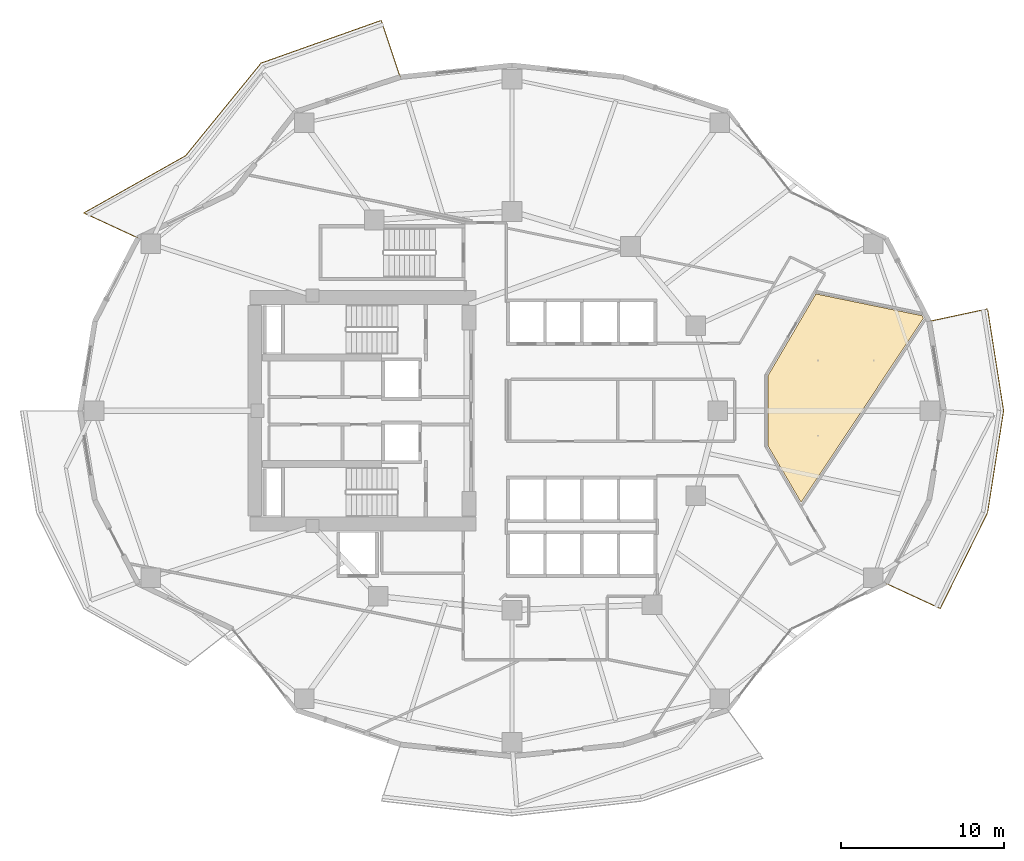
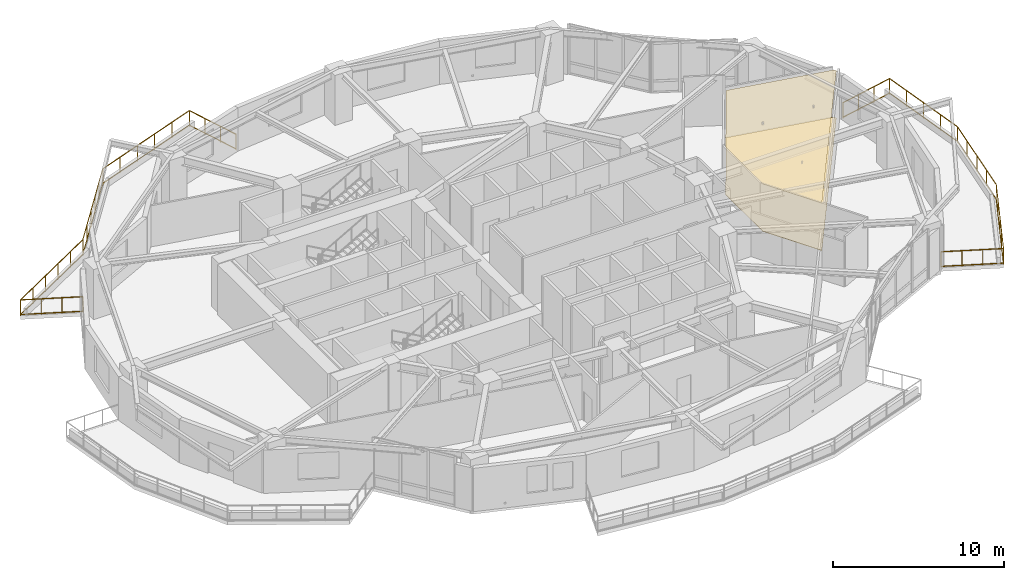
# One storey, part 17 of 18: 2 coverings, 2 railings.
"""IFC4 building model written with IfcOpenShell, lengths in metres."""

from ifc_helpers import new_model, si_unit, direction, frame, origin, origin_2d, place, context, subcontext, project, spatial, polyline, rectangle, outline, extrude, material, layer, layer_set, type_object, element, save


model = new_model("IFC4")

# Units and contexts
model_context = context("Model", 3, precision=1e-05, world=origin(), true_north=direction((0.0, 1.0)))
body_context = subcontext(model_context, "Body", "Model", "MODEL_VIEW")
ifc_project = project(units=[si_unit("LENGTHUNIT", "METRE"), si_unit("AREAUNIT", "SQUARE_METRE"), si_unit("VOLUMEUNIT", "CUBIC_METRE"), si_unit("PLANEANGLEUNIT", "RADIAN"), si_unit("MASSUNIT", "GRAM", prefix="KILO")], contexts=[model_context])

# Site, building, storey
site_placement = place(None, origin())
site = spatial("IfcSite", under=ifc_project, at=site_placement, CompositionType="ELEMENT")
building_placement = place(site_placement, origin())
building = spatial("IfcBuilding", under=site, at=building_placement, Name="Kolvaren Gate Tower and Convention Centre", CompositionType="ELEMENT")
storey_placement = place(building_placement, frame((0.0, 0.0, 61.14990234375)))
storey = spatial("IfcBuildingStorey", under=building, at=storey_placement, Name="L14", CompositionType="ELEMENT", Elevation=61.14990234375)

# Coverings
ifc_material_1 = material(Name="Perforated Mineral-Fibre Acoustic Ceiling Tile 18 mm", Category="gypsum")
ifc_layer_1 = layer(ifc_material_1, 0.01806640625)
ifc_layer_set_1 = layer_set([ifc_layer_1], Name="Perforated Mineral-Fibre Acoustic Ceiling Tile 18 mm")
covering_type_1 = type_object("IfcCoveringType", Name="ARCH-COV-CEIL-18", PredefinedType="CEILING", material=ifc_layer_set_1)
covering_1_placement = place(storey_placement, frame((0.0, 0.0, 3.39013671875)))
element("IfcCovering", 1, at=covering_1_placement, inside=storey, type_object=covering_type_1, Name="Materials Exhibition Boutique Acoustic Suspended Ceiling", PredefinedType="CEILING", context=body_context, shape_type="SweptSolid", body=[
    extrude(outline(polyline([(55.236083984375, 32.81689453125), (55.31298828125, 32.6689453125), (47.824951171875, 21.39111328125), (45.81005859375, 24.8310546875), (45.81005859375, 29.1689453125), (48.73095703125, 34.154052734375), (55.236083984375, 32.81689453125)])), origin(), (0.0, 0.0, 1.0), 0.01806640625),
])
ifc_material_2 = material(Name="Honed Sabana Limestone Terrazzo Flooring 30 mm", Category="masonry")
ifc_layer_2 = layer(ifc_material_2, 0.030029296875)
ifc_layer_set_2 = layer_set([ifc_layer_2], Name="Honed Sabana Limestone Terrazzo Flooring 30 mm")
covering_type_2 = type_object("IfcCoveringType", Name="ARCH-COV-FLR-30", PredefinedType="FLOORING", material=ifc_layer_set_2)
covering_2_placement = place(storey_placement, origin())
element("IfcCovering", 2, at=covering_2_placement, inside=storey, type_object=covering_type_2, Name="Materials Exhibition Boutique Interior Finish Flooring", PredefinedType="FLOORING", context=body_context, shape_type="SweptSolid", body=[
    extrude(outline(polyline([(55.236083984375, 32.81689453125), (55.31298828125, 32.6689453125), (47.824951171875, 21.39111328125), (45.81005859375, 24.8310546875), (45.81005859375, 29.1689453125), (48.73095703125, 34.154052734375), (55.236083984375, 32.81689453125)])), origin(), (0.0, 0.0, 1.0), 0.030029296875),
])

# Railings
ifc_material_3 = material(Name="Brushed Stainless Steel Grade 316L", Category="steel")
railing_type = type_object("IfcRailingType", Name="ARCH-RL-GUARD-1150", PredefinedType="GUARDRAIL", material=ifc_material_3)
railing_1_placement = place(storey_placement, frame((23.282470703125, 47.42919921875, 0.0)))
element("IfcRailing", 3, at=railing_1_placement, inside=storey, type_object=railing_type, Name="Tower L14 Terrace Perimeter Guardrail GR-1", PredefinedType="GUARDRAIL", context=body_context, shape_type="SweptSolid", body=[
    extrude(rectangle(XDim=0.048095703125, YDim=0.048095703125, at=origin_2d()), frame((-0.0087890625, 0.026611328125, 1.1259765625), z_axis=(-0.317568160167, 0.94823544737, 0.0), x_axis=(-0.94823544737, -0.317568160167, 0.0)), (0.0, 0.0, 1.0), 3.60400390625),
    extrude(rectangle(XDim=0.048095703125, YDim=0.048095703125, at=origin_2d()), frame((-0.0087890625, 0.026611328125, 0.083984375), z_axis=(-0.317568160167, 0.94823544737, 0.0), x_axis=(-0.94823544737, -0.317568160167, 0.0)), (0.0, 0.0, 1.0), 3.60400390625),
    extrude(rectangle(XDim=0.048095703125, YDim=0.048095703125, at=origin_2d()), frame((-1.188720703125, 3.46142578125, 1.1259765625), z_axis=(-0.942200211781, -0.335050385643, 0.0), x_axis=(0.335050385643, -0.942200211781, 0.0)), (0.0, 0.0, 1.0), 7.7509765625),
    extrude(rectangle(XDim=0.048095703125, YDim=0.048095703125, at=origin_2d()), frame((-1.188720703125, 3.46142578125, 0.083984375), z_axis=(-0.942200211781, -0.335050385643, 0.0), x_axis=(0.335050385643, -0.942200211781, 0.0)), (0.0, 0.0, 1.0), 7.7509765625),
    extrude(rectangle(XDim=0.048095703125, YDim=0.048095703125, at=origin_2d()), frame((-8.535888671875, 0.833251953125, 1.1259765625), z_axis=(-0.631819273026, -0.775115737315, 0.0), x_axis=(0.775115737315, -0.631819273026, 0.0)), (0.0, 0.0, 1.0), 7.259765625),
    extrude(rectangle(XDim=0.048095703125, YDim=0.048095703125, at=origin_2d()), frame((-8.535888671875, 0.833251953125, 0.083984375), z_axis=(-0.631819273026, -0.775115737315, 0.0), x_axis=(0.775115737315, -0.631819273026, 0.0)), (0.0, 0.0, 1.0), 7.259765625),
    extrude(rectangle(XDim=0.048095703125, YDim=0.048095703125, at=origin_2d()), frame((-13.164794921875, -4.829345703125, 1.1259765625), z_axis=(-0.871783301661, -0.489891697159, 0.0), x_axis=(0.489891697159, -0.871783301661, 0.0)), (0.0, 0.0, 1.0), 7.096435546875),
    extrude(rectangle(XDim=0.048095703125, YDim=0.048095703125, at=origin_2d()), frame((-13.164794921875, -4.829345703125, 0.083984375), z_axis=(-0.871783301661, -0.489891697159, 0.0), x_axis=(0.489891697159, -0.871783301661, 0.0)), (0.0, 0.0, 1.0), 7.096435546875),
    extrude(rectangle(XDim=0.048095703125, YDim=0.048095703125, at=origin_2d()), frame((-19.350341796875, -8.331298828125, 1.1259765625), z_axis=(0.907846116663, -0.419303503993, 0.0), x_axis=(0.419303503993, 0.907846116663, 0.0)), (0.0, 0.0, 1.0), 3.60400390625),
    extrude(rectangle(XDim=0.048095703125, YDim=0.048095703125, at=origin_2d()), frame((-19.350341796875, -8.331298828125, 0.083984375), z_axis=(0.907846116663, -0.419303503993, 0.0), x_axis=(0.419303503993, 0.907846116663, 0.0)), (0.0, 0.0, 1.0), 3.60400390625),
    extrude(rectangle(XDim=0.0419921875, YDim=0.0419921875, at=origin_2d()), origin(), (0.0, 0.0, 1.0), 1.14990234375),
    extrude(rectangle(XDim=0.0419921875, YDim=0.0419921875, at=origin_2d()), frame((-1.162353515625, 3.470703125, 0.0)), (0.0, 0.0, 1.0), 1.14990234375),
    extrude(rectangle(XDim=0.0419921875, YDim=0.0419921875, at=origin_2d()), frame((-0.387451171875, 1.156982421875, 0.0)), (0.0, 0.0, 1.0), 1.099853515625),
    extrude(rectangle(XDim=0.0419921875, YDim=0.0419921875, at=origin_2d()), frame((-0.77490234375, 2.313720703125, 0.0)), (0.0, 0.0, 1.0), 1.099853515625),
    extrude(rectangle(XDim=0.0419921875, YDim=0.0419921875, at=origin_2d()), frame((-8.51806640625, 0.85498046875, 0.0)), (0.0, 0.0, 1.0), 1.14990234375),
    extrude(rectangle(XDim=0.0419921875, YDim=0.0419921875, at=origin_2d()), frame((-2.633544921875, 2.947509765625, 0.0)), (0.0, 0.0, 1.0), 1.099853515625),
    extrude(rectangle(XDim=0.0419921875, YDim=0.0419921875, at=origin_2d()), frame((-4.104736328125, 2.42431640625, 0.0)), (0.0, 0.0, 1.0), 1.099853515625),
    extrude(rectangle(XDim=0.0419921875, YDim=0.0419921875, at=origin_2d()), frame((-5.57568359375, 1.9013671875, 0.0)), (0.0, 0.0, 1.0), 1.099853515625),
    extrude(rectangle(XDim=0.0419921875, YDim=0.0419921875, at=origin_2d()), frame((-7.046875, 1.378173828125, 0.0)), (0.0, 0.0, 1.0), 1.099853515625),
    extrude(rectangle(XDim=0.0419921875, YDim=0.0419921875, at=origin_2d()), frame((-13.140380859375, -4.815673828125, 0.0)), (0.0, 0.0, 1.0), 1.14990234375),
    extrude(rectangle(XDim=0.0419921875, YDim=0.0419921875, at=origin_2d()), frame((-9.442626953125, -0.279052734375, 0.0)), (0.0, 0.0, 1.0), 1.099853515625),
    extrude(rectangle(XDim=0.0419921875, YDim=0.0419921875, at=origin_2d()), frame((-10.366943359375, -1.413330078125, 0.0)), (0.0, 0.0, 1.0), 1.099853515625),
    extrude(rectangle(XDim=0.0419921875, YDim=0.0419921875, at=origin_2d()), frame((-11.29150390625, -2.54736328125, 0.0)), (0.0, 0.0, 1.0), 1.099853515625),
    extrude(rectangle(XDim=0.0419921875, YDim=0.0419921875, at=origin_2d()), frame((-12.2158203125, -3.681640625, 0.0)), (0.0, 0.0, 1.0), 1.099853515625),
    extrude(rectangle(XDim=0.0419921875, YDim=0.0419921875, at=origin_2d()), frame((-19.375732421875, -8.319580078125, 0.0)), (0.0, 0.0, 1.0), 1.14990234375),
    extrude(rectangle(XDim=0.0419921875, YDim=0.0419921875, at=origin_2d()), frame((-14.387451171875, -5.516357421875, 0.0)), (0.0, 0.0, 1.0), 1.099853515625),
    extrude(rectangle(XDim=0.0419921875, YDim=0.0419921875, at=origin_2d()), frame((-15.634521484375, -6.21728515625, 0.0)), (0.0, 0.0, 1.0), 1.099853515625),
    extrude(rectangle(XDim=0.0419921875, YDim=0.0419921875, at=origin_2d()), frame((-16.881591796875, -6.91796875, 0.0)), (0.0, 0.0, 1.0), 1.099853515625),
    extrude(rectangle(XDim=0.0419921875, YDim=0.0419921875, at=origin_2d()), frame((-18.128662109375, -7.618896484375, 0.0)), (0.0, 0.0, 1.0), 1.099853515625),
    extrude(rectangle(XDim=0.0419921875, YDim=0.0419921875, at=origin_2d()), frame((-16.052978515625, -9.854248046875, 0.0)), (0.0, 0.0, 1.0), 1.14990234375),
    extrude(rectangle(XDim=0.0419921875, YDim=0.0419921875, at=origin_2d()), frame((-18.26806640625, -8.8310546875, 0.0)), (0.0, 0.0, 1.0), 1.099853515625),
    extrude(rectangle(XDim=0.0419921875, YDim=0.0419921875, at=origin_2d()), frame((-17.16064453125, -9.3427734375, 0.0)), (0.0, 0.0, 1.0), 1.099853515625),
])
railing_2_placement = place(storey_placement, frame((53.0205078125, 16.425048828125, 0.0)))
element("IfcRailing", 4, at=railing_2_placement, inside=storey, type_object=railing_type, Name="Tower L14 Terrace Perimeter Guardrail GR-4", PredefinedType="GUARDRAIL", context=body_context, shape_type="SweptSolid", body=[
    extrude(rectangle(XDim=0.048095703125, YDim=0.048095703125, at=origin_2d()), frame((0.025390625, -0.01171875, 1.1259765625), z_axis=(0.907846116663, -0.419303503993, 0.0), x_axis=(0.419303503993, 0.907846116663, 0.0)), (0.0, 0.0, 1.0), 3.60400390625),
    extrude(rectangle(XDim=0.048095703125, YDim=0.048095703125, at=origin_2d()), frame((0.025390625, -0.01171875, 0.083984375), z_axis=(0.907846116663, -0.419303503993, 0.0), x_axis=(0.419303503993, 0.907846116663, 0.0)), (0.0, 0.0, 1.0), 3.60400390625),
    extrude(rectangle(XDim=0.048095703125, YDim=0.048095703125, at=origin_2d()), frame((3.335205078125, -1.509521484375, 1.1259765625), z_axis=(0.442686636348, 0.89667638644, 0.0), x_axis=(-0.89667638644, 0.442686636348, 0.0)), (0.0, 0.0, 1.0), 6.488525390625),
    extrude(rectangle(XDim=0.048095703125, YDim=0.048095703125, at=origin_2d()), frame((3.335205078125, -1.509521484375, 0.083984375), z_axis=(0.442686636348, 0.89667638644, 0.0), x_axis=(-0.89667638644, 0.442686636348, 0.0)), (0.0, 0.0, 1.0), 6.488525390625),
    extrude(rectangle(XDim=0.048095703125, YDim=0.048095703125, at=origin_2d()), frame((6.224365234375, 4.361328125, 1.1259765625), z_axis=(0.155418843943, 0.98784866399, 0.0), x_axis=(-0.98784866399, 0.155418843943, 0.0)), (0.0, 0.0, 1.0), 6.261962890625),
    extrude(rectangle(XDim=0.048095703125, YDim=0.048095703125, at=origin_2d()), frame((6.224365234375, 4.361328125, 0.083984375), z_axis=(0.155418843943, 0.98784866399, 0.0), x_axis=(-0.98784866399, 0.155418843943, 0.0)), (0.0, 0.0, 1.0), 6.261962890625),
    extrude(rectangle(XDim=0.048095703125, YDim=0.048095703125, at=origin_2d()), frame((7.197509765625, 10.6025390625, 1.1259765625), z_axis=(-0.155418843943, 0.98784866399, 0.0), x_axis=(-0.98784866399, -0.155418843943, 0.0)), (0.0, 0.0, 1.0), 6.261962890625),
    extrude(rectangle(XDim=0.048095703125, YDim=0.048095703125, at=origin_2d()), frame((7.197509765625, 10.6025390625, 0.083984375), z_axis=(-0.155418843943, 0.98784866399, 0.0), x_axis=(-0.98784866399, -0.155418843943, 0.0)), (0.0, 0.0, 1.0), 6.261962890625),
    extrude(rectangle(XDim=0.048095703125, YDim=0.048095703125, at=origin_2d()), frame((6.192626953125, 16.810302734375, 1.1259765625), z_axis=(-0.977791675321, -0.209579196661, 0.0), x_axis=(0.209579196661, -0.977791675321, 0.0)), (0.0, 0.0, 1.0), 3.60400390625),
    extrude(rectangle(XDim=0.048095703125, YDim=0.048095703125, at=origin_2d()), frame((6.192626953125, 16.810302734375, 0.083984375), z_axis=(-0.977791675321, -0.209579196661, 0.0), x_axis=(0.209579196661, -0.977791675321, 0.0)), (0.0, 0.0, 1.0), 3.60400390625),
    extrude(rectangle(XDim=0.0419921875, YDim=0.0419921875, at=origin_2d()), origin(), (0.0, 0.0, 1.0), 1.14990234375),
    extrude(rectangle(XDim=0.0419921875, YDim=0.0419921875, at=origin_2d()), frame((3.32275390625, -1.53466796875, 0.0)), (0.0, 0.0, 1.0), 1.14990234375),
    extrude(rectangle(XDim=0.0419921875, YDim=0.0419921875, at=origin_2d()), frame((1.107666015625, -0.511474609375, 0.0)), (0.0, 0.0, 1.0), 1.099853515625),
    extrude(rectangle(XDim=0.0419921875, YDim=0.0419921875, at=origin_2d()), frame((2.215087890625, -1.023193359375, 0.0)), (0.0, 0.0, 1.0), 1.099853515625),
    extrude(rectangle(XDim=0.0419921875, YDim=0.0419921875, at=origin_2d()), frame((6.219970703125, 4.333740234375, 0.0)), (0.0, 0.0, 1.0), 1.14990234375),
    extrude(rectangle(XDim=0.0419921875, YDim=0.0419921875, at=origin_2d()), frame((4.047119140625, -0.067626953125, 0.0)), (0.0, 0.0, 1.0), 1.099853515625),
    extrude(rectangle(XDim=0.0419921875, YDim=0.0419921875, at=origin_2d()), frame((4.771484375, 1.3994140625, 0.0)), (0.0, 0.0, 1.0), 1.099853515625),
    extrude(rectangle(XDim=0.0419921875, YDim=0.0419921875, at=origin_2d()), frame((5.49560546875, 2.86669921875, 0.0)), (0.0, 0.0, 1.0), 1.099853515625),
    extrude(rectangle(XDim=0.0419921875, YDim=0.0419921875, at=origin_2d()), frame((7.201904296875, 10.574951171875, 0.0)), (0.0, 0.0, 1.0), 1.14990234375),
    extrude(rectangle(XDim=0.0419921875, YDim=0.0419921875, at=origin_2d()), frame((6.46533203125, 5.89404296875, 0.0)), (0.0, 0.0, 1.0), 1.099853515625),
    extrude(rectangle(XDim=0.0419921875, YDim=0.0419921875, at=origin_2d()), frame((6.7109375, 7.454345703125, 0.0)), (0.0, 0.0, 1.0), 1.099853515625),
    extrude(rectangle(XDim=0.0419921875, YDim=0.0419921875, at=origin_2d()), frame((6.95654296875, 9.0146484375, 0.0)), (0.0, 0.0, 1.0), 1.099853515625),
    extrude(rectangle(XDim=0.0419921875, YDim=0.0419921875, at=origin_2d()), frame((6.219970703125, 16.816162109375, 0.0)), (0.0, 0.0, 1.0), 1.14990234375),
    extrude(rectangle(XDim=0.0419921875, YDim=0.0419921875, at=origin_2d()), frame((6.95654296875, 12.13525390625, 0.0)), (0.0, 0.0, 1.0), 1.099853515625),
    extrude(rectangle(XDim=0.0419921875, YDim=0.0419921875, at=origin_2d()), frame((6.7109375, 13.695556640625, 0.0)), (0.0, 0.0, 1.0), 1.099853515625),
    extrude(rectangle(XDim=0.0419921875, YDim=0.0419921875, at=origin_2d()), frame((6.46533203125, 15.255859375, 0.0)), (0.0, 0.0, 1.0), 1.099853515625),
    extrude(rectangle(XDim=0.0419921875, YDim=0.0419921875, at=origin_2d()), frame((2.64111328125, 16.049072265625, 0.0)), (0.0, 0.0, 1.0), 1.14990234375),
    extrude(rectangle(XDim=0.0419921875, YDim=0.0419921875, at=origin_2d()), frame((5.027099609375, 16.560546875, 0.0)), (0.0, 0.0, 1.0), 1.099853515625),
    extrude(rectangle(XDim=0.0419921875, YDim=0.0419921875, at=origin_2d()), frame((3.833984375, 16.3046875, 0.0)), (0.0, 0.0, 1.0), 1.099853515625),
])

save(model, "model.ifc")
